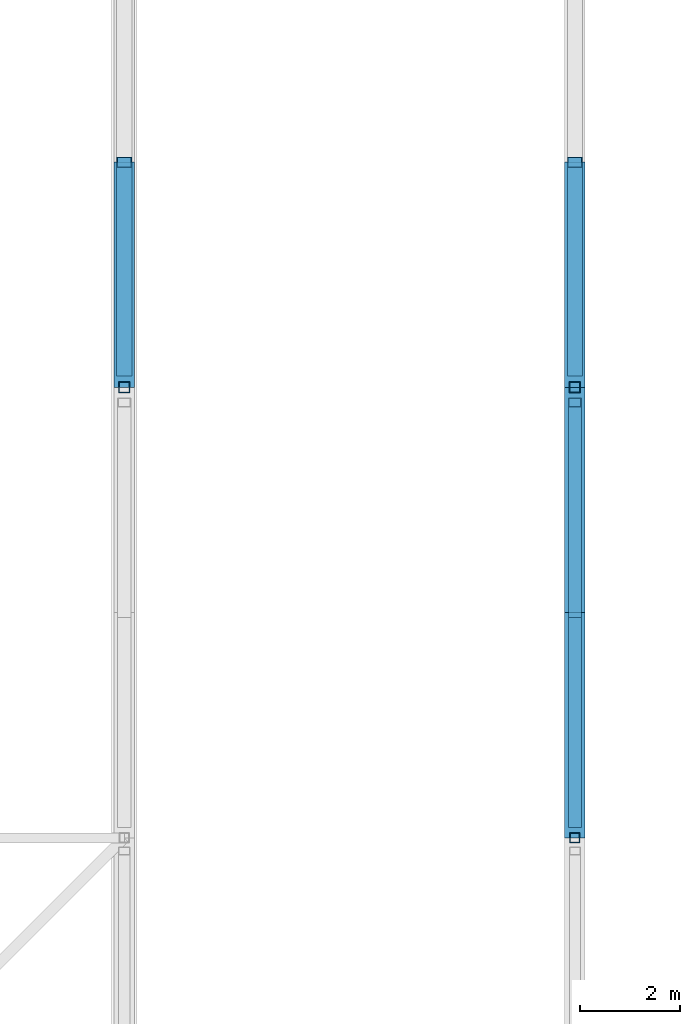
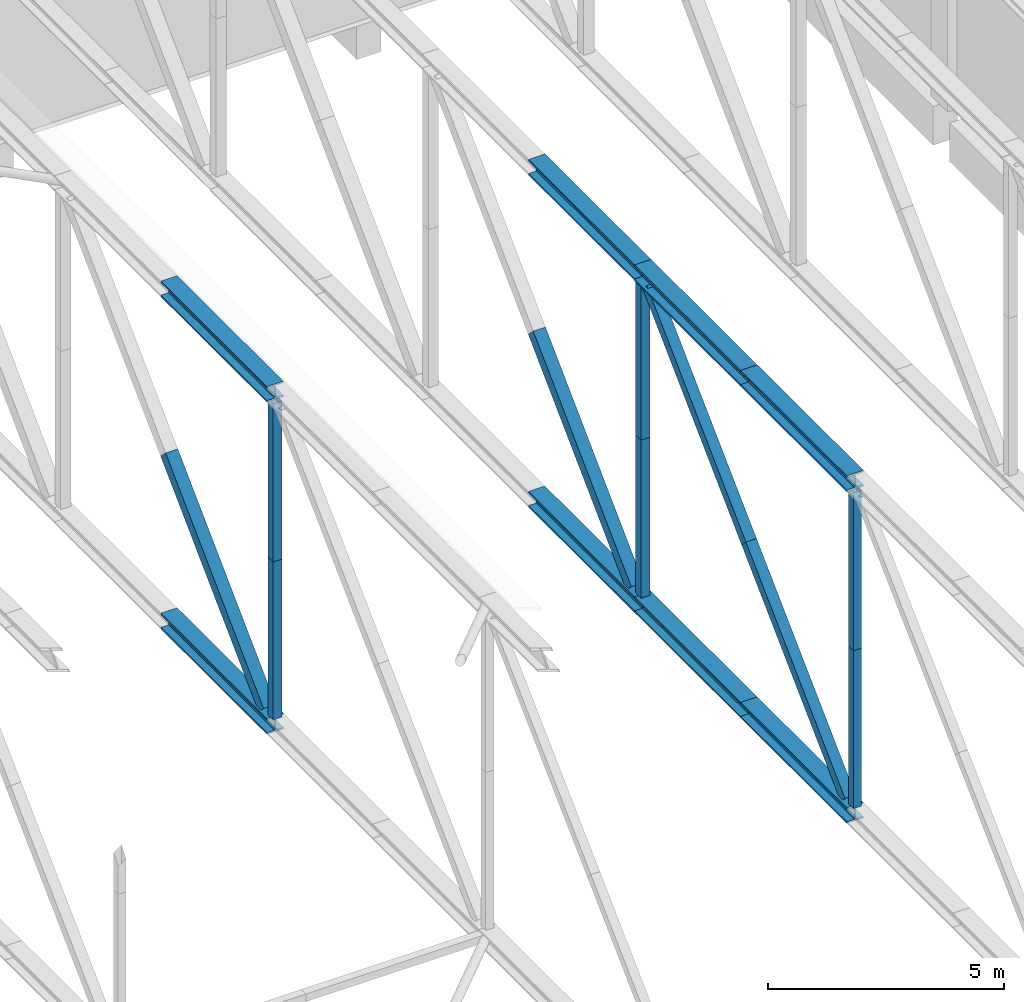
# One storey, part 72 of 646: 18 members.
"""IFC4 building model written with IfcOpenShell, lengths in metres."""

import ifcopenshell
import ifcopenshell.guid

model = None  # the IFC model being written
_history = None  # IfcOwnerHistory: only IFC2X3 demands one
_inside = {}  # id of a spatial element -> (the spatial element, [elements in it])
_under = {}  # id of a project, library or spatial element -> (it, [spatial elements below it])
_declared = {}  # id of a project -> (the project, [libraries it declares])
_typed = {}  # id of a type object -> (the type object, [elements of that type])
_made_of = {}  # id of a material, layer set ... -> (it, [elements and type objects made of it])


def new_model(schema):
    """Start an empty IFC model of exactly this schema.

    Asked for "IFC4X3", IfcOpenShell would pick the latest addendum, in which some entities
    have other attributes; the version numbers below select the first issue.
    IFC2X3 requires an IfcOwnerHistory on every rooted entity: one is made here for all.
    """
    global model, _history
    if schema == "IFC4X3":
        model = ifcopenshell.file(schema_version=(4, 3, 0, 0))
    else:
        model = ifcopenshell.file(schema=schema)
    _inside.clear()
    _under.clear()
    _declared.clear()
    _typed.clear()
    _made_of.clear()
    _history = None
    if model.schema == "IFC2X3":
        org = make("IfcOrganization", Name="unknown")
        user = make(
            "IfcPersonAndOrganization",
            ThePerson=make("IfcPerson", FamilyName="unknown"),
            TheOrganization=org,
        )
        app = make(
            "IfcApplication",
            ApplicationDeveloper=org,
            Version="unknown",
            ApplicationFullName="unknown",
            ApplicationIdentifier="unknown",
        )
        _history = make(
            "IfcOwnerHistory",
            OwningUser=user,
            OwningApplication=app,
            ChangeAction="ADDED",
            CreationDate=0,
        )
    return model


def make(cls, **values):
    """One entity of the class cls with the attributes given. An attribute that is None is left unset."""
    return model.create_entity(
        cls, **{name: value for name, value in values.items() if value is not None}
    )


def rooted(cls, **values):
    """An entity with a GlobalId (a new one), such as an element, a storey or a relation."""
    return make(cls, GlobalId=ifcopenshell.guid.new(), OwnerHistory=_history, **values)


def si_unit(unit_type, name, prefix=None):
    """IfcSIUnit, for example si_unit("LENGTHUNIT", "METRE", prefix="MILLI")."""
    return make("IfcSIUnit", UnitType=unit_type, Prefix=prefix, Name=name)


def assignment(units):
    """IfcUnitAssignment: the units of a project."""
    return None if units is None else make("IfcUnitAssignment", Units=units)


def point(xyz):
    """IfcCartesianPoint."""
    return None if xyz is None else make("IfcCartesianPoint", Coordinates=xyz)


def direction(xyz):
    """IfcDirection."""
    return None if xyz is None else make("IfcDirection", DirectionRatios=xyz)


def frame(location, z_axis=None, x_axis=None):
    """IfcAxis2Placement3D, a coordinate frame: its origin and axes. An axis left out is left unset."""
    return make(
        "IfcAxis2Placement3D",
        Location=point(location),
        Axis=direction(z_axis),
        RefDirection=direction(x_axis),
    )


def frame_2d(location, x_axis=None):
    """IfcAxis2Placement2D, a coordinate frame in the plane: its origin and x axis."""
    return make(
        "IfcAxis2Placement2D", Location=point(location), RefDirection=direction(x_axis)
    )


def origin():
    """The frame at (0, 0, 0) with its axes left unset."""
    return frame((0.0, 0.0, 0.0))


def origin_2d():
    """The frame at (0, 0) in the plane with its x axis left unset."""
    return frame_2d((0.0, 0.0))


def place(relative_to, where):
    """IfcLocalPlacement: puts the frame where relative to a parent placement (None: the world)."""
    return make(
        "IfcLocalPlacement", PlacementRelTo=relative_to, RelativePlacement=where
    )


def context(
    kind, dimensions, precision=None, world=None, true_north=None, identifier=None
):
    """IfcGeometricRepresentationContext, for example the 3D "Model" context."""
    return make(
        "IfcGeometricRepresentationContext",
        ContextIdentifier=identifier,
        ContextType=kind,
        CoordinateSpaceDimension=dimensions,
        Precision=precision,
        WorldCoordinateSystem=world,
        TrueNorth=true_north,
    )


def subcontext(parent, identifier, kind, view, scale=None):
    """IfcGeometricRepresentationSubContext, for example "Body" below "Model"."""
    return make(
        "IfcGeometricRepresentationSubContext",
        ContextIdentifier=identifier,
        ContextType=kind,
        ParentContext=parent,
        TargetScale=scale,
        TargetView=view,
    )


def project(units=None, contexts=None):
    """IfcProject with its units and contexts."""
    return rooted(
        "IfcProject",
        Name="project",
        RepresentationContexts=contexts,
        UnitsInContext=assignment(units),
    )


def spatial(cls, under=None, at=None, **own):
    """A site, building, storey or space (cls), placed at a placement, below another one or the project."""
    s = rooted(cls, ObjectPlacement=at, **own)
    if under is not None:
        _under.setdefault(under.id(), (under, []))[1].append(s)
    return s


def profile(cls, at=None, kind="AREA", **sizes):
    """A parametric profile (cls). Its sizes go by their IFC names, for example OverallWidth=200.0."""
    return make(cls, ProfileType=kind, Position=at, **sizes)


def hollow_rectangle(**sizes):
    """IfcRectangleHollowProfileDef."""
    return profile("IfcRectangleHollowProfileDef", **sizes)


def i_section(**sizes):
    """IfcIShapeProfileDef."""
    return profile("IfcIShapeProfileDef", **sizes)


def extrude(swept, where, along, depth):
    """IfcExtrudedAreaSolid: the profile swept, set in the frame where, extruded along a direction by depth."""
    return make(
        "IfcExtrudedAreaSolid",
        SweptArea=swept,
        Position=where,
        ExtrudedDirection=direction(along),
        Depth=depth,
    )


def shape(context_of_items, identifier, shape_type, items):
    """IfcShapeRepresentation: the items that make up one representation, for example the "Body"."""
    return make(
        "IfcShapeRepresentation",
        ContextOfItems=context_of_items,
        RepresentationIdentifier=identifier,
        RepresentationType=shape_type,
        Items=items,
    )


def material(Name=None, Category=None):
    """IfcMaterial."""
    return make("IfcMaterial", Name=Name, Category=Category)


def material_profile(
    of_material, cross_section, Name=None, Category=None, Priority=None
):
    """IfcMaterialProfile: a cross section and its material."""
    return make(
        "IfcMaterialProfile",
        Name=Name,
        Material=of_material,
        Profile=cross_section,
        Priority=Priority,
        Category=Category,
    )


def profile_set(profiles, Name=None, composite=None):
    """IfcMaterialProfileSet."""
    return make(
        "IfcMaterialProfileSet",
        Name=Name,
        MaterialProfiles=profiles,
        CompositeProfile=composite,
    )


def made_of(thing, what):
    """Note that an element or type object is made of a material, layer set ...; save() writes the relation."""
    if what is not None:
        _made_of.setdefault(what.id(), (what, []))[1].append(thing)
    return thing


def type_object(cls, material=None, **own):
    """A type object (cls), such as IfcWallType, which elements share."""
    return made_of(rooted(cls, **own), material)


def element(
    cls,
    number,
    at=None,
    inside=None,
    cuts=None,
    type_object=None,
    material=None,
    context=None,
    identifier="Body",
    shape_type=None,
    held_by="IfcProductDefinitionShape",
    body=None,
    shapes=None,
    **own,
):
    """One element of the class cls, such as IfcWall. Its Tag is "e" and its number.

    at: its placement. inside: the storey or other place that contains it. cuts: it is an
    opening in that element (IfcRelVoidsElement). A single representation is given by context,
    identifier, shape_type and body (its items); several are given by shapes. held_by: the class
    of the entity that holds the representations. save() writes the other relations.
    """
    e = rooted(cls, Tag="e%d" % number, ObjectPlacement=at, **own)
    if body is not None:
        shapes = [shape(context, identifier, shape_type, body)]
    if shapes is not None:
        e.Representation = make(held_by, Representations=shapes)
    if inside is not None:
        _inside.setdefault(inside.id(), (inside, []))[1].append(e)
    if cuts is not None:
        rooted(
            "IfcRelVoidsElement", RelatingBuildingElement=cuts, RelatedOpeningElement=e
        )
    if type_object is not None:
        _typed.setdefault(type_object.id(), (type_object, []))[1].append(e)
    return made_of(e, material)


def aggregate(whole, parts):
    """IfcRelAggregates: a whole, such as a stair, and the parts it consists of."""
    return rooted("IfcRelAggregates", RelatingObject=whole, RelatedObjects=parts)


def save(model, path):
    """Write the relations noted so far, then the file.

    IfcRelAggregates (storeys below a building ...), IfcRelContainedInSpatialStructure (elements
    in a storey), IfcRelDefinesByType, IfcRelAssociatesMaterial and IfcRelDeclares: one each for
    every whole, place, type object, material and project.
    """
    for whole, parts in _under.values():
        aggregate(whole, parts)
    for where, things in _inside.values():
        rooted(
            "IfcRelContainedInSpatialStructure",
            RelatedElements=things,
            RelatingStructure=where,
        )
    for kind, things in _typed.values():
        rooted("IfcRelDefinesByType", RelatedObjects=things, RelatingType=kind)
    for what, things in _made_of.values():
        rooted("IfcRelAssociatesMaterial", RelatedObjects=things, RelatingMaterial=what)
    for by, libraries in _declared.values():
        rooted("IfcRelDeclares", RelatingContext=by, RelatedDefinitions=libraries)
    model.write(path)


model = new_model("IFC4")

# Units and contexts
model_context = context("Model", 3, precision=1e-05, world=origin(), true_north=direction((0.0, 1.0)))
body_context = subcontext(model_context, "Body", "Model", "MODEL_VIEW")
ifc_project = project(units=[si_unit("LENGTHUNIT", "METRE"), si_unit("AREAUNIT", "SQUARE_METRE"), si_unit("VOLUMEUNIT", "CUBIC_METRE"), si_unit("PLANEANGLEUNIT", "RADIAN"), si_unit("MASSUNIT", "GRAM", prefix="KILO")], contexts=[model_context])

# Site, building, storey
site_placement = place(None, origin())
site = spatial("IfcSite", under=ifc_project, at=site_placement, CompositionType="ELEMENT")
building_placement = place(site_placement, origin())
building = spatial("IfcBuilding", under=site, at=building_placement, Name="Silverbay Arena", CompositionType="ELEMENT")
storey_placement = place(building_placement, frame((0.0, 0.0, 33.5)))
storey = spatial("IfcBuildingStorey", under=building, at=storey_placement, Name="L05", CompositionType="ELEMENT", Elevation=33.5)

# Members
ifc_material_1 = material(Name="Steel S355", Category="steel")
ifc_material_profile_1 = material_profile(ifc_material_1, i_section(OverallWidth=0.403076171875, OverallDepth=0.406494140625, WebThickness=0.026611328125, FlangeThickness=0.04296875, at=origin_2d()), Name="UC 356x406x340")
ifc_profile_set_1 = profile_set([ifc_material_profile_1], Name="Steel S355")
member_type_1 = type_object("IfcMemberType", Name="Main-span bottom chord UC 356x406x340", PredefinedType="CHORD", material=ifc_profile_set_1)
for number, where, z_axis, x_axis, name in (
    (1, (135.0, 99.0, 4.203125), (0.0, 1.0, 0.0), (-1.0, 0.0, 0.0), "ROOF TRUSS 16 bottom chord 11a"),
    (2, (144.0, 90.0, 4.203125), (0.0, 1.0, 0.0), (-1.0, 0.0, 0.0), "ROOF TRUSS 17 bottom chord 10a"),
    (3, (144.0, 94.5, 4.203125), (0.0, 1.0, 0.0), (-1.0, 0.0, 0.0), "ROOF TRUSS 17 bottom chord 10b"),
    (4, (144.0, 99.0, 4.203125), (0.0, 1.0, 0.0), (-1.0, 0.0, 0.0), "ROOF TRUSS 17 bottom chord 11a"),
):
    element("IfcMember", number, at=place(storey_placement, frame(where, z_axis=z_axis, x_axis=x_axis)), inside=storey, type_object=member_type_1, Name=name, PredefinedType="CHORD", context=body_context, shape_type="SweptSolid", body=[
        extrude(i_section(OverallWidth=0.403076171875, OverallDepth=0.406494140625, WebThickness=0.026611328125, FlangeThickness=0.04296875, at=origin_2d()), origin(), (0.0, 0.0, 1.0), 4.5),
    ])
ifc_material_2 = material(Name="Steel S355", Category="steel")
ifc_material_profile_2 = material_profile(ifc_material_2, i_section(OverallWidth=0.403076171875, OverallDepth=0.406494140625, WebThickness=0.026611328125, FlangeThickness=0.04296875, at=origin_2d()), Name="UC 356x406x340")
ifc_profile_set_2 = profile_set([ifc_material_profile_2], Name="Steel S355")
member_type_2 = type_object("IfcMemberType", Name="Main-span top chord UC 356x406x340", PredefinedType="CHORD", material=ifc_profile_set_2)
for number, where, z_axis, x_axis, name in (
    (5, (135.0, 99.0, 12.796875), (0.0, 1.0, 0.0), (-1.0, 0.0, 0.0), "ROOF TRUSS 16 top chord 11a"),
    (6, (144.0, 99.0, 12.796875), (0.0, 1.0, 0.0), (-1.0, 0.0, 0.0), "ROOF TRUSS 17 top chord 11a"),
):
    element("IfcMember", number, at=place(storey_placement, frame(where, z_axis=z_axis, x_axis=x_axis)), inside=storey, type_object=member_type_2, Name=name, PredefinedType="CHORD", context=body_context, shape_type="SweptSolid", body=[
        extrude(i_section(OverallWidth=0.403076171875, OverallDepth=0.406494140625, WebThickness=0.026611328125, FlangeThickness=0.04296875, at=origin_2d()), origin(), (0.0, 0.0, 1.0), 4.5),
    ])
ifc_material_3 = material(Name="Steel S355", Category="steel")
ifc_material_profile_3 = material_profile(ifc_material_3, i_section(OverallWidth=0.406982421875, OverallDepth=0.4189453125, WebThickness=0.030517578125, FlangeThickness=0.04931640625, at=origin_2d()), Name="UC 356x406x393")
ifc_profile_set_3 = profile_set([ifc_material_profile_3], Name="Steel S355")
member_type_3 = type_object("IfcMemberType", Name="Main-span top chord UC 356x406x393", PredefinedType="CHORD", material=ifc_profile_set_3)
for number, where, z_axis, x_axis, name in (
    (7, (144.0, 90.0, 12.79052734375), (0.0, 1.0, 0.0), (-1.0, 0.0, 0.0), "ROOF TRUSS 17 top chord 10a"),
    (8, (144.0, 94.5, 12.79052734375), (0.0, 1.0, 0.0), (-1.0, 0.0, 0.0), "ROOF TRUSS 17 top chord 10b"),
):
    element("IfcMember", number, at=place(storey_placement, frame(where, z_axis=z_axis, x_axis=x_axis)), inside=storey, type_object=member_type_3, Name=name, PredefinedType="CHORD", context=body_context, shape_type="SweptSolid", body=[
        extrude(i_section(OverallWidth=0.406982421875, OverallDepth=0.4189453125, WebThickness=0.030517578125, FlangeThickness=0.04931640625, at=origin_2d()), origin(), (0.0, 0.0, 1.0), 4.5),
    ])
ifc_material_4 = material(Name="Steel S355", Category="steel")
ifc_material_profile_4 = material_profile(ifc_material_4, hollow_rectangle(XDim=0.260009765625, YDim=0.260009765625, WallThickness=0.012451171875, at=origin_2d()), Name="SHS 260x260x12.5")
ifc_profile_set_4 = profile_set([ifc_material_profile_4], Name="Steel S355")
member_type_4 = type_object("IfcMemberType", Name="Main-span truss diagonal SHS 260x260x12.5", PredefinedType="BRACE", material=ifc_profile_set_4)
for number, where, z_axis, x_axis, name in (
    (9, (144.0, 98.696533203125, 12.5810546875), (0.0, -0.716765314206, -0.697314480239), (1.0, 0.0, 0.0), "ROOF TRUSS 17 diagonal 10a"),
    (10, (144.0, 94.4951171875, 8.49365234375), (0.0, -0.716806382858, -0.697272263534), (1.0, 0.0, 0.0), "ROOF TRUSS 17 diagonal 10b"),
):
    element("IfcMember", number, at=place(storey_placement, frame(where, z_axis=z_axis, x_axis=x_axis)), inside=storey, type_object=member_type_4, Name=name, PredefinedType="BRACE", context=body_context, shape_type="SweptSolid", body=[
        extrude(hollow_rectangle(XDim=0.260009765625, YDim=0.260009765625, WallThickness=0.012451171875, at=origin_2d()), origin(), (0.0, 0.0, 1.0), 5.861572265625),
    ])
ifc_material_5 = material(Name="Steel S355", Category="steel")
ifc_material_profile_5 = material_profile(ifc_material_5, hollow_rectangle(XDim=0.300048828125, YDim=0.300048828125, WallThickness=0.012451171875, at=origin_2d()), Name="SHS 300x300x12.5")
ifc_profile_set_5 = profile_set([ifc_material_profile_5], Name="Steel S355")
member_type_5 = type_object("IfcMemberType", Name="Main-span truss diagonal SHS 300x300x12.5", PredefinedType="BRACE", material=ifc_profile_set_5)
for number, where, z_axis, x_axis, name in (
    (11, (135.0, 103.492431640625, 8.5), (0.0, -0.71273186468, -0.701436589487), (1.0, 0.0, 0.0), "ROOF TRUSS 16 diagonal 11b"),
    (12, (144.0, 103.492431640625, 8.5), (0.0, -0.71273186468, -0.701436589487), (1.0, 0.0, 0.0), "ROOF TRUSS 17 diagonal 11b"),
):
    element("IfcMember", number, at=place(storey_placement, frame(where, z_axis=z_axis, x_axis=x_axis)), inside=storey, type_object=member_type_5, Name=name, PredefinedType="BRACE", context=body_context, shape_type="SweptSolid", body=[
        extrude(hollow_rectangle(XDim=0.300048828125, YDim=0.300048828125, WallThickness=0.012451171875, at=origin_2d()), origin(), (0.0, 0.0, 1.0), 5.8359375),
    ])
ifc_material_6 = material(Name="Steel S355", Category="steel")
ifc_material_profile_6 = material_profile(ifc_material_6, hollow_rectangle(XDim=0.199951171875, YDim=0.199951171875, WallThickness=0.008056640625, at=origin_2d()), Name="SHS 200x200x8")
ifc_profile_set_6 = profile_set([ifc_material_profile_6], Name="Steel S355")
member_type_6 = type_object("IfcMemberType", Name="Main-span truss vertical SHS 200x200x8", PredefinedType="STRUT", material=ifc_profile_set_6)
member_1_placement = place(storey_placement, frame((144.0, 90.0, 4.406494140625), z_axis=(0.0, 0.0, 1.0), x_axis=(1.0, 0.0, 0.0)))
element("IfcMember", 13, at=member_1_placement, inside=storey, type_object=member_type_6, Name="ROOF TRUSS 17 vertical 10a", PredefinedType="STRUT", context=body_context, shape_type="SweptSolid", body=[
    extrude(hollow_rectangle(XDim=0.199951171875, YDim=0.199951171875, WallThickness=0.008056640625, at=origin_2d()), origin(), (0.0, 0.0, 1.0), 4.087158203125),
])
member_2_placement = place(storey_placement, frame((144.0, 90.0, 8.49365234375), z_axis=(0.0, 0.0, 1.0), x_axis=(1.0, 0.0, 0.0)))
element("IfcMember", 14, at=member_2_placement, inside=storey, type_object=member_type_6, Name="ROOF TRUSS 17 vertical 10b", PredefinedType="STRUT", context=body_context, shape_type="SweptSolid", body=[
    extrude(hollow_rectangle(XDim=0.199951171875, YDim=0.199951171875, WallThickness=0.008056640625, at=origin_2d()), origin(), (0.0, 0.0, 1.0), 4.08740234375),
])
ifc_material_7 = material(Name="Steel S355", Category="steel")
ifc_material_profile_7 = material_profile(ifc_material_7, hollow_rectangle(XDim=0.219970703125, YDim=0.219970703125, WallThickness=0.008056640625, at=origin_2d()), Name="SHS 220x220x8")
ifc_profile_set_7 = profile_set([ifc_material_profile_7], Name="Steel S355")
member_type_7 = type_object("IfcMemberType", Name="Main-span truss vertical SHS 220x220x8", PredefinedType="STRUT", material=ifc_profile_set_7)
member_3_placement = place(storey_placement, frame((135.0, 99.0, 4.406494140625), z_axis=(0.0, 0.0, 1.0), x_axis=(1.0, 0.0, 0.0)))
element("IfcMember", 15, at=member_3_placement, inside=storey, type_object=member_type_7, Name="ROOF TRUSS 16 vertical 11a", PredefinedType="STRUT", context=body_context, shape_type="SweptSolid", body=[
    extrude(hollow_rectangle(XDim=0.219970703125, YDim=0.219970703125, WallThickness=0.008056640625, at=origin_2d()), origin(), (0.0, 0.0, 1.0), 4.087158203125),
])
member_4_placement = place(storey_placement, frame((135.0, 99.0, 8.49365234375), z_axis=(0.0, 0.0, 1.0), x_axis=(1.0, 0.0, 0.0)))
element("IfcMember", 16, at=member_4_placement, inside=storey, type_object=member_type_7, Name="ROOF TRUSS 16 vertical 11b", PredefinedType="STRUT", context=body_context, shape_type="SweptSolid", body=[
    extrude(hollow_rectangle(XDim=0.219970703125, YDim=0.219970703125, WallThickness=0.008056640625, at=origin_2d()), origin(), (0.0, 0.0, 1.0), 4.08740234375),
])
member_5_placement = place(storey_placement, frame((144.0, 99.0, 4.406494140625), z_axis=(0.0, 0.0, 1.0), x_axis=(1.0, 0.0, 0.0)))
element("IfcMember", 17, at=member_5_placement, inside=storey, type_object=member_type_7, Name="ROOF TRUSS 17 vertical 11a", PredefinedType="STRUT", context=body_context, shape_type="SweptSolid", body=[
    extrude(hollow_rectangle(XDim=0.219970703125, YDim=0.219970703125, WallThickness=0.008056640625, at=origin_2d()), origin(), (0.0, 0.0, 1.0), 4.087158203125),
])
member_6_placement = place(storey_placement, frame((144.0, 99.0, 8.49365234375), z_axis=(0.0, 0.0, 1.0), x_axis=(1.0, 0.0, 0.0)))
element("IfcMember", 18, at=member_6_placement, inside=storey, type_object=member_type_7, Name="ROOF TRUSS 17 vertical 11b", PredefinedType="STRUT", context=body_context, shape_type="SweptSolid", body=[
    extrude(hollow_rectangle(XDim=0.219970703125, YDim=0.219970703125, WallThickness=0.008056640625, at=origin_2d()), origin(), (0.0, 0.0, 1.0), 4.08740234375),
])

save(model, "model.ifc")
